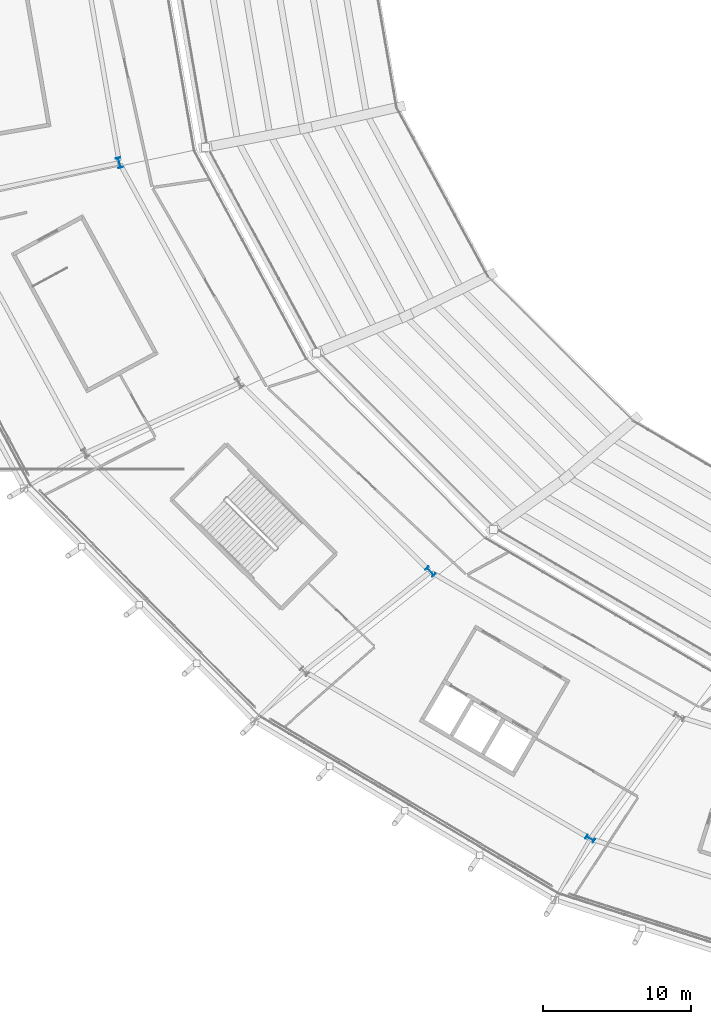
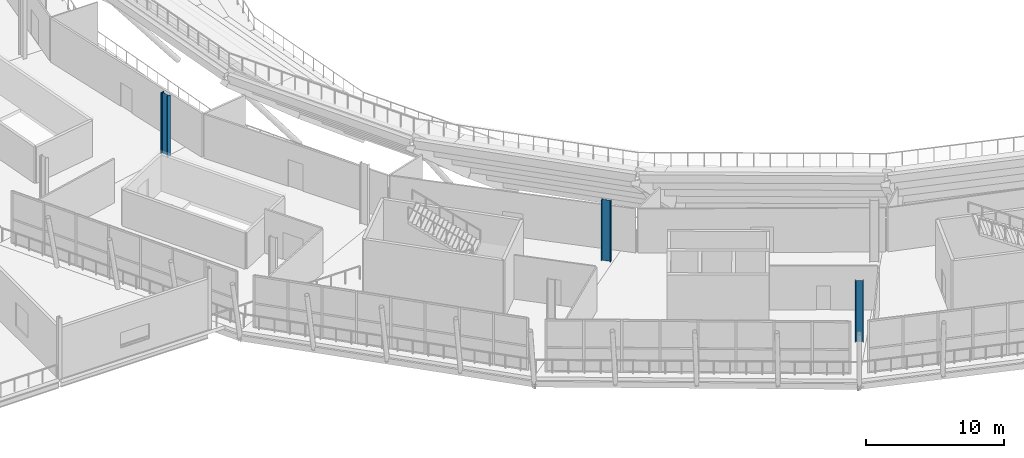
# One storey, part 3 of 126: 3 columns.
"""IFC4 building model written with IfcOpenShell, lengths in metres."""

from ifc_helpers import new_model, si_unit, direction, frame, origin, origin_2d, place, context, subcontext, project, spatial, i_section, extrude, material, material_profile, profile_set, type_object, element, save


model = new_model("IFC4")

# Units and contexts
model_context = context("Model", 3, precision=1e-05, world=origin(), true_north=direction((0.0, 1.0)))
body_context = subcontext(model_context, "Body", "Model", "MODEL_VIEW")
ifc_project = project(units=[si_unit("LENGTHUNIT", "METRE"), si_unit("AREAUNIT", "SQUARE_METRE"), si_unit("VOLUMEUNIT", "CUBIC_METRE"), si_unit("PLANEANGLEUNIT", "RADIAN"), si_unit("MASSUNIT", "GRAM", prefix="KILO")], contexts=[model_context])

# Site, building, storey
site_placement = place(None, origin())
site = spatial("IfcSite", under=ifc_project, at=site_placement, CompositionType="ELEMENT")
building_placement = place(site_placement, origin())
building = spatial("IfcBuilding", under=site, at=building_placement, Name="Zlatoyarsky Gate Stadium", CompositionType="ELEMENT")
storey_placement = place(building_placement, frame((0.0, 0.0, 20.800048828125)))
storey = spatial("IfcBuildingStorey", under=building, at=storey_placement, Name="L04", CompositionType="ELEMENT", Elevation=20.800048828125)

# Columns
ifc_material = material(Name="Steel S355", Category="steel")
ifc_material_profile_1 = material_profile(ifc_material, i_section(OverallWidth=0.300048828125, OverallDepth=0.60009765625, WebThickness=0.015380859375, FlangeThickness=0.030029296875, FilletRadius=0.027099609375, at=origin_2d()), Name="HEB 600")
ifc_profile_set_1 = profile_set([ifc_material_profile_1], Name="Steel S355")
column_type_1 = type_object("IfcColumnType", Name="STEEL COLUMN HEB 600", PredefinedType="COLUMN", material=ifc_profile_set_1)
column_placement = place(storey_placement, frame((64.5, 18.51220703125, 0.0), z_axis=(0.0, 0.0, 1.0), x_axis=(-0.5, -0.866025403784, 0.0)))
element("IfcColumn", 1, at=column_placement, inside=storey, type_object=column_type_1, Name="Column ST-C600 RC-16 on L04", PredefinedType="COLUMN", context=body_context, shape_type="SweptSolid", body=[
    extrude(i_section(OverallWidth=0.300048828125, OverallDepth=0.60009765625, WebThickness=0.015380859375, FlangeThickness=0.030029296875, FilletRadius=0.027099609375, at=origin_2d()), origin(), (0.0, 0.0, 1.0), 5.39990234375),
])
ifc_material_profile_2 = material_profile(ifc_material, i_section(OverallWidth=0.300048828125, OverallDepth=0.699951171875, WebThickness=0.01708984375, FlangeThickness=0.031982421875, FilletRadius=0.027099609375, at=origin_2d()), Name="HEB 700")
ifc_profile_set_2 = profile_set([ifc_material_profile_2], Name="Steel S355")
column_type_2 = type_object("IfcColumnType", Name="STEEL COLUMN HEB 700", PredefinedType="COLUMN", material=ifc_profile_set_2)
for number, where, z_axis, x_axis, name in (
    (2, (32.760009765625, 64.08251953125, 0.0), (0.0, 0.0, 1.0), (-0.965925826289, -0.258819045103, 0.0), "Column ST-C700 RB-13 on L04"),
    (3, (53.724365234375, 36.512939453125, 0.0), (0.0, 0.0, 1.0), (-0.707106781187, -0.707106781187, 0.0), "Column ST-C700 RB-15 on L04"),
):
    element("IfcColumn", number, at=place(storey_placement, frame(where, z_axis=z_axis, x_axis=x_axis)), inside=storey, type_object=column_type_2, Name=name, PredefinedType="COLUMN", context=body_context, shape_type="SweptSolid", body=[
        extrude(i_section(OverallWidth=0.300048828125, OverallDepth=0.699951171875, WebThickness=0.01708984375, FlangeThickness=0.031982421875, FilletRadius=0.027099609375, at=origin_2d()), origin(), (0.0, 0.0, 1.0), 5.39990234375),
    ])

save(model, "model.ifc")
